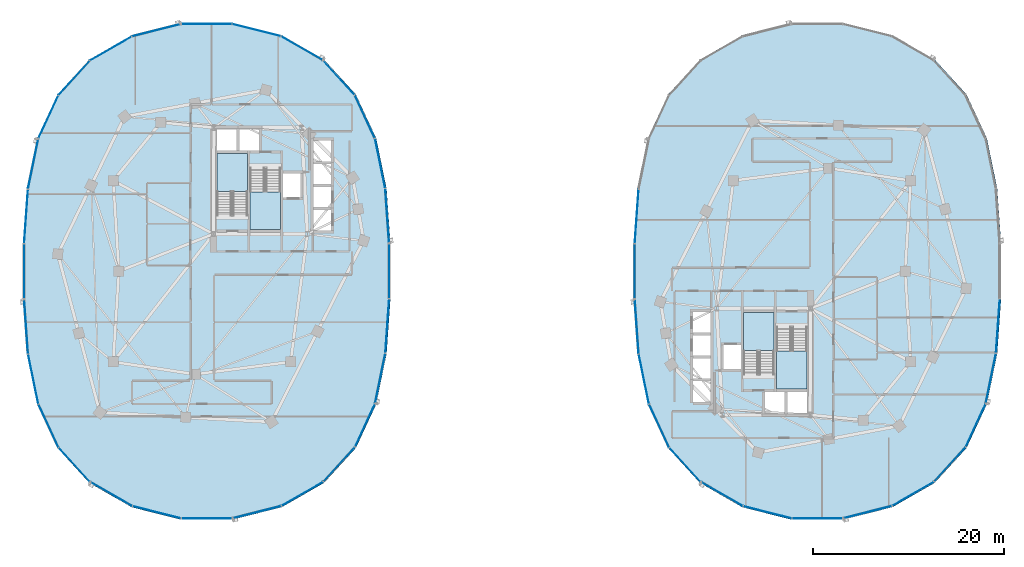
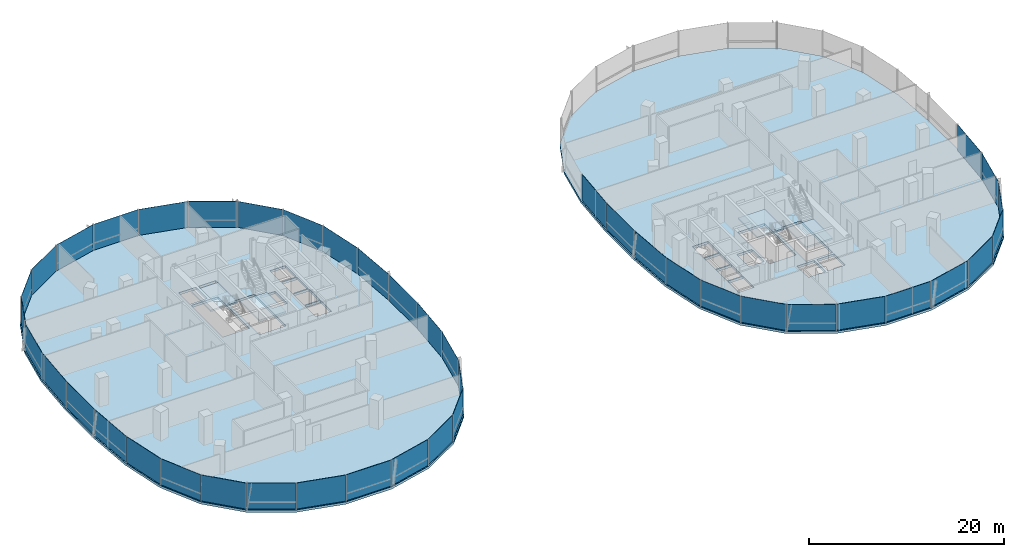
# One storey, part 9 of 21: 43 plates, 6 slabs, 11 elements without a shape of their own.
"""IFC4 building model written with IfcOpenShell, lengths in metres."""

from ifc_helpers import new_model, si_unit, direction, frame, origin, origin_2d, place, context, subcontext, project, spatial, polyline, rectangle, outline, extrude, material, layer, layer_set, type_object, element, aggregate, save


model = new_model("IFC4")

# Units and contexts
model_context = context("Model", 3, precision=1e-05, world=origin(), true_north=direction((0.0, 1.0)))
body_context = subcontext(model_context, "Body", "Model", "MODEL_VIEW")
ifc_project = project(units=[si_unit("LENGTHUNIT", "METRE"), si_unit("AREAUNIT", "SQUARE_METRE"), si_unit("VOLUMEUNIT", "CUBIC_METRE"), si_unit("PLANEANGLEUNIT", "RADIAN"), si_unit("MASSUNIT", "GRAM", prefix="KILO"), si_unit("THERMODYNAMICTEMPERATUREUNIT", "KELVIN"), si_unit("POWERUNIT", "WATT")], contexts=[model_context])

# Site, building, storey
site_placement = place(None, origin())
site = spatial("IfcSite", under=ifc_project, at=site_placement, CompositionType="ELEMENT")
building_placement = place(site_placement, origin())
building = spatial("IfcBuilding", under=site, at=building_placement, Name="Cundina Bronze Exchange", CompositionType="ELEMENT")
storey_placement = place(building_placement, frame((0.0, 0.0, 121.39990234375)))
storey = spatial("IfcBuildingStorey", under=building, at=storey_placement, Name="L31", CompositionType="ELEMENT", Elevation=121.39990234375)

# Curtain wall, plates
ifc_material_1 = material(Name="Anodised Bronze Aluminium 6063-T6", Category="aluminium")
curtain_wall_type = type_object("IfcCurtainWallType", Name="CWS-TRD-MID", PredefinedType="NOTDEFINED", material=ifc_material_1)
curtain_wall_1_placement = place(storey_placement, origin())
curtain_wall_1 = element("IfcCurtainWall", 1, at=curtain_wall_1_placement, inside=storey, type_object=curtain_wall_type, Name="L31 CW-03 Curtain Wall Run CWR-L31-W1", PredefinedType="NOTDEFINED")
ifc_material_2 = material(Name="Heat-Strengthened Solar-Control Bronze Safety Glass 28mm", Category="glass")
ifc_layer_1 = layer(ifc_material_2, 0.028076171875, Name="Heat-Strengthened Solar-Control Bronze Safety Glass 28mm", Category="glass")
ifc_layer_set_1 = layer_set([ifc_layer_1], Name="Heat-Strengthened Solar-Control Bronze Safety Glass 28mm")
plate_type_1 = type_object("IfcPlateType", Name="PLT-GLZ-VIS28", PredefinedType="CURTAIN_PANEL", material=ifc_layer_set_1)
plate_1_placement = place(storey_placement, frame((-13.0732421875, 5.783935546875, 0.02001953125), z_axis=(0.0, 0.0, 1.0), x_axis=(-0.070278787473, 0.997527389113, 0.0)))
plate_1 = element("IfcPlate", 2, at=plate_1_placement, type_object=plate_type_1, Name="CW-03 Glazed Panel 1", PredefinedType="CURTAIN_PANEL", context=body_context, shape_type="SweptSolid", body=[
    extrude(rectangle(XDim=5.644287109375, YDim=0.028076171875, at=origin_2d()), origin(), (0.0, 0.0, 1.0), 3.260009765625),
])
plate_2_placement = place(storey_placement, frame((-13.81591796875, 11.269775390625, 0.02001953125), z_axis=(0.0, 0.0, 1.0), x_axis=(-0.201419845156, 0.979505000486, 0.0)))
plate_2 = element("IfcPlate", 3, at=plate_2_placement, type_object=plate_type_1, Name="CW-03 Glazed Panel 2", PredefinedType="CURTAIN_PANEL", context=body_context, shape_type="SweptSolid", body=[
    extrude(rectangle(XDim=5.306640625, YDim=0.028076171875, at=origin_2d()), origin(), (0.0, 0.0, 1.0), 3.260009765625),
])
plate_3_placement = place(storey_placement, frame((-15.413818359375, 16.177734375, 0.02001953125), z_axis=(0.0, 0.0, 1.0), x_axis=(-0.42084583328, 0.907132175932, 0.0)))
plate_3 = element("IfcPlate", 4, at=plate_3_placement, type_object=plate_type_1, Name="CW-03 Glazed Panel 3", PredefinedType="CURTAIN_PANEL", context=body_context, shape_type="SweptSolid", body=[
    extrude(rectangle(XDim=4.966552734375, YDim=0.028076171875, at=origin_2d()), origin(), (0.0, 0.0, 1.0), 3.260009765625),
])
plate_4_placement = place(storey_placement, frame((-21.980712890625, 23.34423828125, 0.02001953125), z_axis=(0.0, 0.0, 1.0), x_axis=(-0.867105478933, 0.498124571171, 0.0)))
plate_4 = element("IfcPlate", 5, at=plate_4_placement, type_object=plate_type_1, Name="CW-03 Glazed Panel 5", PredefinedType="CURTAIN_PANEL", context=body_context, shape_type="SweptSolid", body=[
    extrude(rectangle(XDim=5.021240234375, YDim=0.028076171875, at=origin_2d()), origin(), (0.0, 0.0, 1.0), 3.260009765625),
])
plate_5_placement = place(storey_placement, frame((-26.744384765625, 25.256591796875, 0.02001953125), z_axis=(0.0, 0.0, 1.0), x_axis=(-0.969488149345, 0.245138182011, 0.0)))
plate_5 = element("IfcPlate", 6, at=plate_5_placement, type_object=plate_type_1, Name="CW-03 Glazed Panel 6", PredefinedType="CURTAIN_PANEL", context=body_context, shape_type="SweptSolid", body=[
    extrude(rectangle(XDim=5.2333984375, YDim=0.028076171875, at=origin_2d()), origin(), (0.0, 0.0, 1.0), 3.260009765625),
])
plate_6_placement = place(storey_placement, frame((-32.0, 25.905029296875, 0.02001953125), z_axis=(0.0, 0.0, 1.0), x_axis=(-1.0, 0.0, 0.0)))
plate_6 = element("IfcPlate", 7, at=plate_6_placement, type_object=plate_type_1, Name="CW-03 Glazed Panel 7", PredefinedType="CURTAIN_PANEL", context=body_context, shape_type="SweptSolid", body=[
    extrude(rectangle(XDim=5.323974609375, YDim=0.028076171875, at=origin_2d()), origin(), (0.0, 0.0, 1.0), 3.260009765625),
])

curtain_wall_2_placement = place(storey_placement, origin())
curtain_wall_2 = element("IfcCurtainWall", 8, at=curtain_wall_2_placement, inside=storey, type_object=curtain_wall_type, Name="L31 CW-03 Curtain Wall Run CWR-L31-W2", PredefinedType="NOTDEFINED")
plate_7_placement = place(storey_placement, frame((-37.255615234375, 25.256591796875, 0.02001953125), z_axis=(0.0, 0.0, 1.0), x_axis=(-0.969488149345, -0.245138182011, 0.0)))
plate_7 = element("IfcPlate", 9, at=plate_7_placement, type_object=plate_type_1, Name="CW-03 Glazed Panel 1", PredefinedType="CURTAIN_PANEL", context=body_context, shape_type="SweptSolid", body=[
    extrude(rectangle(XDim=5.2333984375, YDim=0.028076171875, at=origin_2d()), origin(), (0.0, 0.0, 1.0), 3.260009765625),
])
plate_8_placement = place(storey_placement, frame((-42.019287109375, 23.34423828125, 0.02001953125), z_axis=(0.0, 0.0, 1.0), x_axis=(-0.867105478933, -0.498124571171, 0.0)))
plate_8 = element("IfcPlate", 10, at=plate_8_placement, type_object=plate_type_1, Name="CW-03 Glazed Panel 2", PredefinedType="CURTAIN_PANEL", context=body_context, shape_type="SweptSolid", body=[
    extrude(rectangle(XDim=5.021240234375, YDim=0.028076171875, at=origin_2d()), origin(), (0.0, 0.0, 1.0), 3.260009765625),
])
plate_9_placement = place(storey_placement, frame((-48.586181640625, 16.177734375, 0.02001953125), z_axis=(0.0, 0.0, 1.0), x_axis=(-0.42084583328, -0.907132175932, 0.0)))
plate_9 = element("IfcPlate", 11, at=plate_9_placement, type_object=plate_type_1, Name="CW-03 Glazed Panel 4", PredefinedType="CURTAIN_PANEL", context=body_context, shape_type="SweptSolid", body=[
    extrude(rectangle(XDim=4.966552734375, YDim=0.028076171875, at=origin_2d()), origin(), (0.0, 0.0, 1.0), 3.260009765625),
])
plate_10_placement = place(storey_placement, frame((-50.18408203125, 11.269775390625, 0.02001953125), z_axis=(0.0, 0.0, 1.0), x_axis=(-0.201419845156, -0.979505000486, 0.0)))
plate_10 = element("IfcPlate", 12, at=plate_10_placement, type_object=plate_type_1, Name="CW-03 Glazed Panel 5", PredefinedType="CURTAIN_PANEL", context=body_context, shape_type="SweptSolid", body=[
    extrude(rectangle(XDim=5.306640625, YDim=0.028076171875, at=origin_2d()), origin(), (0.0, 0.0, 1.0), 3.260009765625),
])
plate_11_placement = place(storey_placement, frame((-50.9267578125, 5.783935546875, 0.02001953125), z_axis=(0.0, 0.0, 1.0), x_axis=(-0.070278787473, -0.997527389113, 0.0)))
plate_11 = element("IfcPlate", 13, at=plate_11_placement, type_object=plate_type_1, Name="CW-03 Glazed Panel 6", PredefinedType="CURTAIN_PANEL", context=body_context, shape_type="SweptSolid", body=[
    extrude(rectangle(XDim=5.644287109375, YDim=0.028076171875, at=origin_2d()), origin(), (0.0, 0.0, 1.0), 3.260009765625),
])
plate_12_placement = place(storey_placement, frame((-51.1279296875, 0.0, 0.02001953125), z_axis=(0.0, 0.0, 1.0), x_axis=(0.0, -1.0, 0.0)))
plate_12 = element("IfcPlate", 14, at=plate_12_placement, type_object=plate_type_1, Name="CW-03 Glazed Panel 7", PredefinedType="CURTAIN_PANEL", context=body_context, shape_type="SweptSolid", body=[
    extrude(rectangle(XDim=5.77587890625, YDim=0.028076171875, at=origin_2d()), origin(), (0.0, 0.0, 1.0), 3.260009765625),
])

curtain_wall_3_placement = place(storey_placement, origin())
curtain_wall_3 = element("IfcCurtainWall", 15, at=curtain_wall_3_placement, inside=storey, type_object=curtain_wall_type, Name="L31 CW-03 Curtain Wall Run CWR-L31-W3", PredefinedType="NOTDEFINED")
plate_13_placement = place(storey_placement, frame((-50.9267578125, -5.783935546875, 0.02001953125), z_axis=(0.0, 0.0, 1.0), x_axis=(0.070278787473, -0.997527389113, 0.0)))
plate_13 = element("IfcPlate", 16, at=plate_13_placement, type_object=plate_type_1, Name="CW-03 Glazed Panel 1", PredefinedType="CURTAIN_PANEL", context=body_context, shape_type="SweptSolid", body=[
    extrude(rectangle(XDim=5.644287109375, YDim=0.028076171875, at=origin_2d()), origin(), (0.0, 0.0, 1.0), 3.260009765625),
])
plate_14_placement = place(storey_placement, frame((-48.586181640625, -16.177734375, 0.02001953125), z_axis=(0.0, 0.0, 1.0), x_axis=(0.42084583328, -0.907132175932, 0.0)))
plate_14 = element("IfcPlate", 17, at=plate_14_placement, type_object=plate_type_1, Name="CW-03 Glazed Panel 3", PredefinedType="CURTAIN_PANEL", context=body_context, shape_type="SweptSolid", body=[
    extrude(rectangle(XDim=4.966552734375, YDim=0.028076171875, at=origin_2d()), origin(), (0.0, 0.0, 1.0), 3.260009765625),
])
plate_15_placement = place(storey_placement, frame((-45.8740234375, -20.267333984375, 0.02001953125), z_axis=(0.0, 0.0, 1.0), x_axis=(0.674276610219, -0.73847887777, 0.0)))
plate_15 = element("IfcPlate", 18, at=plate_15_placement, type_object=plate_type_1, Name="CW-03 Glazed Panel 4", PredefinedType="CURTAIN_PANEL", context=body_context, shape_type="SweptSolid", body=[
    extrude(rectangle(XDim=4.86328125, YDim=0.028076171875, at=origin_2d()), origin(), (0.0, 0.0, 1.0), 3.260009765625),
])
plate_16_placement = place(storey_placement, frame((-42.019287109375, -23.34423828125, 0.02001953125), z_axis=(0.0, 0.0, 1.0), x_axis=(0.867105478933, -0.498124571171, 0.0)))
plate_16 = element("IfcPlate", 19, at=plate_16_placement, type_object=plate_type_1, Name="CW-03 Glazed Panel 5", PredefinedType="CURTAIN_PANEL", context=body_context, shape_type="SweptSolid", body=[
    extrude(rectangle(XDim=5.021240234375, YDim=0.028076171875, at=origin_2d()), origin(), (0.0, 0.0, 1.0), 3.260009765625),
])
plate_17_placement = place(storey_placement, frame((-37.255615234375, -25.256591796875, 0.02001953125), z_axis=(0.0, 0.0, 1.0), x_axis=(0.969488149345, -0.245138182011, 0.0)))
plate_17 = element("IfcPlate", 20, at=plate_17_placement, type_object=plate_type_1, Name="CW-03 Glazed Panel 6", PredefinedType="CURTAIN_PANEL", context=body_context, shape_type="SweptSolid", body=[
    extrude(rectangle(XDim=5.2333984375, YDim=0.028076171875, at=origin_2d()), origin(), (0.0, 0.0, 1.0), 3.260009765625),
])

curtain_wall_4_placement = place(storey_placement, origin())
curtain_wall_4 = element("IfcCurtainWall", 21, at=curtain_wall_4_placement, inside=storey, type_object=curtain_wall_type, Name="L31 CW-03 Curtain Wall Run CWR-L31-W4", PredefinedType="NOTDEFINED")
plate_18_placement = place(storey_placement, frame((-21.980712890625, -23.34423828125, 0.02001953125), z_axis=(0.0, 0.0, 1.0), x_axis=(0.867105478933, 0.498124571171, 0.0)))
plate_18 = element("IfcPlate", 22, at=plate_18_placement, type_object=plate_type_1, Name="CW-03 Glazed Panel 2", PredefinedType="CURTAIN_PANEL", context=body_context, shape_type="SweptSolid", body=[
    extrude(rectangle(XDim=5.021240234375, YDim=0.028076171875, at=origin_2d()), origin(), (0.0, 0.0, 1.0), 3.260009765625),
])
plate_19_placement = place(storey_placement, frame((-18.1259765625, -20.267333984375, 0.02001953125), z_axis=(0.0, 0.0, 1.0), x_axis=(0.674276610219, 0.73847887777, 0.0)))
plate_19 = element("IfcPlate", 23, at=plate_19_placement, type_object=plate_type_1, Name="CW-03 Glazed Panel 3", PredefinedType="CURTAIN_PANEL", context=body_context, shape_type="SweptSolid", body=[
    extrude(rectangle(XDim=4.86328125, YDim=0.028076171875, at=origin_2d()), origin(), (0.0, 0.0, 1.0), 3.260009765625),
])
plate_20_placement = place(storey_placement, frame((-15.413818359375, -16.177734375, 0.02001953125), z_axis=(0.0, 0.0, 1.0), x_axis=(0.42084583328, 0.907132175932, 0.0)))
plate_20 = element("IfcPlate", 24, at=plate_20_placement, type_object=plate_type_1, Name="CW-03 Glazed Panel 4", PredefinedType="CURTAIN_PANEL", context=body_context, shape_type="SweptSolid", body=[
    extrude(rectangle(XDim=4.966552734375, YDim=0.028076171875, at=origin_2d()), origin(), (0.0, 0.0, 1.0), 3.260009765625),
])
plate_21_placement = place(storey_placement, frame((-13.81591796875, -11.269775390625, 0.02001953125), z_axis=(0.0, 0.0, 1.0), x_axis=(0.201419845156, 0.979505000486, 0.0)))
plate_21 = element("IfcPlate", 25, at=plate_21_placement, type_object=plate_type_1, Name="CW-03 Glazed Panel 5", PredefinedType="CURTAIN_PANEL", context=body_context, shape_type="SweptSolid", body=[
    extrude(rectangle(XDim=5.306640625, YDim=0.028076171875, at=origin_2d()), origin(), (0.0, 0.0, 1.0), 3.260009765625),
])
plate_22_placement = place(storey_placement, frame((-12.8720703125, 0.0, 0.02001953125), z_axis=(0.0, 0.0, 1.0), x_axis=(0.0, 1.0, 0.0)))
plate_22 = element("IfcPlate", 26, at=plate_22_placement, type_object=plate_type_1, Name="CW-03 Glazed Panel 7", PredefinedType="CURTAIN_PANEL", context=body_context, shape_type="SweptSolid", body=[
    extrude(rectangle(XDim=5.77587890625, YDim=0.028076171875, at=origin_2d()), origin(), (0.0, 0.0, 1.0), 3.260009765625),
])

curtain_wall_5_placement = place(storey_placement, origin())
curtain_wall_5 = element("IfcCurtainWall", 27, at=curtain_wall_5_placement, inside=storey, type_object=curtain_wall_type, Name="L31 CW-03 Curtain Wall Run CWR-L31-E2", PredefinedType="NOTDEFINED")
plate_23_placement = place(storey_placement, frame((13.0732421875, 5.783935546875, 0.02001953125), z_axis=(0.0, 0.0, 1.0), x_axis=(-0.070278787473, -0.997527389113, 0.0)))
plate_23 = element("IfcPlate", 28, at=plate_23_placement, type_object=plate_type_1, Name="CW-03 Glazed Panel 6", PredefinedType="CURTAIN_PANEL", context=body_context, shape_type="SweptSolid", body=[
    extrude(rectangle(XDim=5.644287109375, YDim=0.028076171875, at=origin_2d()), origin(), (0.0, 0.0, 1.0), 3.260009765625),
])
plate_24_placement = place(storey_placement, frame((12.8720703125, 0.0, 0.02001953125), z_axis=(0.0, 0.0, 1.0), x_axis=(0.0, -1.0, 0.0)))
plate_24 = element("IfcPlate", 29, at=plate_24_placement, type_object=plate_type_1, Name="CW-03 Glazed Panel 7", PredefinedType="CURTAIN_PANEL", context=body_context, shape_type="SweptSolid", body=[
    extrude(rectangle(XDim=5.77587890625, YDim=0.028076171875, at=origin_2d()), origin(), (0.0, 0.0, 1.0), 3.260009765625),
])
aggregate(curtain_wall_5, [plate_23, plate_24])

curtain_wall_6_placement = place(storey_placement, origin())
curtain_wall_6 = element("IfcCurtainWall", 30, at=curtain_wall_6_placement, inside=storey, type_object=curtain_wall_type, Name="L31 CW-03 Curtain Wall Run CWR-L31-E3", PredefinedType="NOTDEFINED")
plate_25_placement = place(storey_placement, frame((13.0732421875, -5.783935546875, 0.02001953125), z_axis=(0.0, 0.0, 1.0), x_axis=(0.070278787473, -0.997527389113, 0.0)))
plate_25 = element("IfcPlate", 31, at=plate_25_placement, type_object=plate_type_1, Name="CW-03 Glazed Panel 1", PredefinedType="CURTAIN_PANEL", context=body_context, shape_type="SweptSolid", body=[
    extrude(rectangle(XDim=5.644287109375, YDim=0.028076171875, at=origin_2d()), origin(), (0.0, 0.0, 1.0), 3.260009765625),
])
plate_26_placement = place(storey_placement, frame((15.413818359375, -16.177734375, 0.02001953125), z_axis=(0.0, 0.0, 1.0), x_axis=(0.42084583328, -0.907132175932, 0.0)))
plate_26 = element("IfcPlate", 32, at=plate_26_placement, type_object=plate_type_1, Name="CW-03 Glazed Panel 3", PredefinedType="CURTAIN_PANEL", context=body_context, shape_type="SweptSolid", body=[
    extrude(rectangle(XDim=4.966552734375, YDim=0.028076171875, at=origin_2d()), origin(), (0.0, 0.0, 1.0), 3.260009765625),
])
plate_27_placement = place(storey_placement, frame((18.1259765625, -20.267333984375, 0.02001953125), z_axis=(0.0, 0.0, 1.0), x_axis=(0.674276610219, -0.73847887777, 0.0)))
plate_27 = element("IfcPlate", 33, at=plate_27_placement, type_object=plate_type_1, Name="CW-03 Glazed Panel 4", PredefinedType="CURTAIN_PANEL", context=body_context, shape_type="SweptSolid", body=[
    extrude(rectangle(XDim=4.86328125, YDim=0.028076171875, at=origin_2d()), origin(), (0.0, 0.0, 1.0), 3.260009765625),
])
plate_28_placement = place(storey_placement, frame((21.980712890625, -23.34423828125, 0.02001953125), z_axis=(0.0, 0.0, 1.0), x_axis=(0.867105478933, -0.498124571171, 0.0)))
plate_28 = element("IfcPlate", 34, at=plate_28_placement, type_object=plate_type_1, Name="CW-03 Glazed Panel 5", PredefinedType="CURTAIN_PANEL", context=body_context, shape_type="SweptSolid", body=[
    extrude(rectangle(XDim=5.021240234375, YDim=0.028076171875, at=origin_2d()), origin(), (0.0, 0.0, 1.0), 3.260009765625),
])
plate_29_placement = place(storey_placement, frame((26.744384765625, -25.256591796875, 0.02001953125), z_axis=(0.0, 0.0, 1.0), x_axis=(0.969488149345, -0.245138182011, 0.0)))
plate_29 = element("IfcPlate", 35, at=plate_29_placement, type_object=plate_type_1, Name="CW-03 Glazed Panel 6", PredefinedType="CURTAIN_PANEL", context=body_context, shape_type="SweptSolid", body=[
    extrude(rectangle(XDim=5.2333984375, YDim=0.028076171875, at=origin_2d()), origin(), (0.0, 0.0, 1.0), 3.260009765625),
])

curtain_wall_7_placement = place(storey_placement, origin())
curtain_wall_7 = element("IfcCurtainWall", 36, at=curtain_wall_7_placement, inside=storey, type_object=curtain_wall_type, Name="L31 CW-03 Curtain Wall Run CWR-L31-E4", PredefinedType="NOTDEFINED")
plate_30_placement = place(storey_placement, frame((42.019287109375, -23.34423828125, 0.02001953125), z_axis=(0.0, 0.0, 1.0), x_axis=(0.867105478933, 0.498124571171, 0.0)))
plate_30 = element("IfcPlate", 37, at=plate_30_placement, type_object=plate_type_1, Name="CW-03 Glazed Panel 2", PredefinedType="CURTAIN_PANEL", context=body_context, shape_type="SweptSolid", body=[
    extrude(rectangle(XDim=5.021240234375, YDim=0.028076171875, at=origin_2d()), origin(), (0.0, 0.0, 1.0), 3.260009765625),
])
plate_31_placement = place(storey_placement, frame((45.8740234375, -20.267333984375, 0.02001953125), z_axis=(0.0, 0.0, 1.0), x_axis=(0.674276610219, 0.73847887777, 0.0)))
plate_31 = element("IfcPlate", 38, at=plate_31_placement, type_object=plate_type_1, Name="CW-03 Glazed Panel 3", PredefinedType="CURTAIN_PANEL", context=body_context, shape_type="SweptSolid", body=[
    extrude(rectangle(XDim=4.86328125, YDim=0.028076171875, at=origin_2d()), origin(), (0.0, 0.0, 1.0), 3.260009765625),
])
plate_32_placement = place(storey_placement, frame((48.586181640625, -16.177734375, 0.02001953125), z_axis=(0.0, 0.0, 1.0), x_axis=(0.42084583328, 0.907132175932, 0.0)))
plate_32 = element("IfcPlate", 39, at=plate_32_placement, type_object=plate_type_1, Name="CW-03 Glazed Panel 4", PredefinedType="CURTAIN_PANEL", context=body_context, shape_type="SweptSolid", body=[
    extrude(rectangle(XDim=4.966552734375, YDim=0.028076171875, at=origin_2d()), origin(), (0.0, 0.0, 1.0), 3.260009765625),
])
plate_33_placement = place(storey_placement, frame((50.18408203125, -11.269775390625, 0.02001953125), z_axis=(0.0, 0.0, 1.0), x_axis=(0.201419845156, 0.979505000486, 0.0)))
plate_33 = element("IfcPlate", 40, at=plate_33_placement, type_object=plate_type_1, Name="CW-03 Glazed Panel 5", PredefinedType="CURTAIN_PANEL", context=body_context, shape_type="SweptSolid", body=[
    extrude(rectangle(XDim=5.306640625, YDim=0.028076171875, at=origin_2d()), origin(), (0.0, 0.0, 1.0), 3.260009765625),
])

# Plate
ifc_material_3 = material(Name="Dark Bronze Spandrel Glass Panel 32mm", Category="glass")
ifc_layer_2 = layer(ifc_material_3, 0.031982421875, Name="Dark Bronze Spandrel Glass Panel 32mm", Category="glass")
ifc_layer_set_2 = layer_set([ifc_layer_2], Name="Dark Bronze Spandrel Glass Panel 32mm")
plate_type_2 = type_object("IfcPlateType", Name="PLT-SPN-BRZ32", PredefinedType="CURTAIN_PANEL", material=ifc_layer_set_2)
plate_34_placement = place(storey_placement, frame((-18.1259765625, 20.267333984375, 0.02001953125), z_axis=(0.0, 0.0, 1.0), x_axis=(-0.674276610219, 0.73847887777, 0.0)))
plate_34 = element("IfcPlate", 41, at=plate_34_placement, type_object=plate_type_2, Name="CW-03 Glazed Panel 4", PredefinedType="CURTAIN_PANEL", context=body_context, shape_type="SweptSolid", body=[
    extrude(rectangle(XDim=4.86328125, YDim=0.031982421875, at=origin_2d()), origin(), (0.0, 0.0, 1.0), 3.260009765625),
])

aggregate(curtain_wall_1, [plate_1, plate_2, plate_3, plate_34, plate_4, plate_5, plate_6])

plate_35_placement = place(storey_placement, frame((-45.8740234375, 20.267333984375, 0.02001953125), z_axis=(0.0, 0.0, 1.0), x_axis=(-0.674276610219, -0.73847887777, 0.0)))
plate_35 = element("IfcPlate", 42, at=plate_35_placement, type_object=plate_type_2, Name="CW-03 Glazed Panel 3", PredefinedType="CURTAIN_PANEL", context=body_context, shape_type="SweptSolid", body=[
    extrude(rectangle(XDim=4.86328125, YDim=0.031982421875, at=origin_2d()), origin(), (0.0, 0.0, 1.0), 3.260009765625),
])

aggregate(curtain_wall_2, [plate_7, plate_8, plate_35, plate_9, plate_10, plate_11, plate_12])

plate_36_placement = place(storey_placement, frame((-50.18408203125, -11.269775390625, 0.02001953125), z_axis=(0.0, 0.0, 1.0), x_axis=(0.201419845156, -0.979505000486, 0.0)))
plate_36 = element("IfcPlate", 43, at=plate_36_placement, type_object=plate_type_2, Name="CW-03 Glazed Panel 2", PredefinedType="CURTAIN_PANEL", context=body_context, shape_type="SweptSolid", body=[
    extrude(rectangle(XDim=5.306640625, YDim=0.031982421875, at=origin_2d()), origin(), (0.0, 0.0, 1.0), 3.260009765625),
])

plate_37_placement = place(storey_placement, frame((-32.0, -25.905029296875, 0.02001953125), z_axis=(0.0, 0.0, 1.0), x_axis=(1.0, 0.0, 0.0)))
plate_37 = element("IfcPlate", 44, at=plate_37_placement, type_object=plate_type_2, Name="CW-03 Glazed Panel 7", PredefinedType="CURTAIN_PANEL", context=body_context, shape_type="SweptSolid", body=[
    extrude(rectangle(XDim=5.323974609375, YDim=0.031982421875, at=origin_2d()), origin(), (0.0, 0.0, 1.0), 3.260009765625),
])

aggregate(curtain_wall_3, [plate_13, plate_36, plate_14, plate_15, plate_16, plate_17, plate_37])

plate_38_placement = place(storey_placement, frame((-26.744384765625, -25.256591796875, 0.02001953125), z_axis=(0.0, 0.0, 1.0), x_axis=(0.969488149345, 0.245138182011, 0.0)))
plate_38 = element("IfcPlate", 45, at=plate_38_placement, type_object=plate_type_2, Name="CW-03 Glazed Panel 1", PredefinedType="CURTAIN_PANEL", context=body_context, shape_type="SweptSolid", body=[
    extrude(rectangle(XDim=5.2333984375, YDim=0.031982421875, at=origin_2d()), origin(), (0.0, 0.0, 1.0), 3.260009765625),
])

plate_39_placement = place(storey_placement, frame((-13.0732421875, -5.783935546875, 0.02001953125), z_axis=(0.0, 0.0, 1.0), x_axis=(0.070278787473, 0.997527389113, 0.0)))
plate_39 = element("IfcPlate", 46, at=plate_39_placement, type_object=plate_type_2, Name="CW-03 Glazed Panel 6", PredefinedType="CURTAIN_PANEL", context=body_context, shape_type="SweptSolid", body=[
    extrude(rectangle(XDim=5.644287109375, YDim=0.031982421875, at=origin_2d()), origin(), (0.0, 0.0, 1.0), 3.260009765625),
])

aggregate(curtain_wall_4, [plate_38, plate_18, plate_19, plate_20, plate_21, plate_39, plate_22])

plate_40_placement = place(storey_placement, frame((13.81591796875, -11.269775390625, 0.02001953125), z_axis=(0.0, 0.0, 1.0), x_axis=(0.201419845156, -0.979505000486, 0.0)))
plate_40 = element("IfcPlate", 47, at=plate_40_placement, type_object=plate_type_2, Name="CW-03 Glazed Panel 2", PredefinedType="CURTAIN_PANEL", context=body_context, shape_type="SweptSolid", body=[
    extrude(rectangle(XDim=5.306640625, YDim=0.031982421875, at=origin_2d()), origin(), (0.0, 0.0, 1.0), 3.260009765625),
])

plate_41_placement = place(storey_placement, frame((32.0, -25.905029296875, 0.02001953125), z_axis=(0.0, 0.0, 1.0), x_axis=(1.0, 0.0, 0.0)))
plate_41 = element("IfcPlate", 48, at=plate_41_placement, type_object=plate_type_2, Name="CW-03 Glazed Panel 7", PredefinedType="CURTAIN_PANEL", context=body_context, shape_type="SweptSolid", body=[
    extrude(rectangle(XDim=5.323974609375, YDim=0.031982421875, at=origin_2d()), origin(), (0.0, 0.0, 1.0), 3.260009765625),
])

aggregate(curtain_wall_6, [plate_25, plate_40, plate_26, plate_27, plate_28, plate_29, plate_41])

plate_42_placement = place(storey_placement, frame((37.255615234375, -25.256591796875, 0.02001953125), z_axis=(0.0, 0.0, 1.0), x_axis=(0.969488149345, 0.245138182011, 0.0)))
plate_42 = element("IfcPlate", 49, at=plate_42_placement, type_object=plate_type_2, Name="CW-03 Glazed Panel 1", PredefinedType="CURTAIN_PANEL", context=body_context, shape_type="SweptSolid", body=[
    extrude(rectangle(XDim=5.2333984375, YDim=0.031982421875, at=origin_2d()), origin(), (0.0, 0.0, 1.0), 3.260009765625),
])

plate_43_placement = place(storey_placement, frame((50.9267578125, -5.783935546875, 0.02001953125), z_axis=(0.0, 0.0, 1.0), x_axis=(0.070278787473, 0.997527389113, 0.0)))
plate_43 = element("IfcPlate", 50, at=plate_43_placement, type_object=plate_type_2, Name="CW-03 Glazed Panel 6", PredefinedType="CURTAIN_PANEL", context=body_context, shape_type="SweptSolid", body=[
    extrude(rectangle(XDim=5.644287109375, YDim=0.031982421875, at=origin_2d()), origin(), (0.0, 0.0, 1.0), 3.260009765625),
])

aggregate(curtain_wall_7, [plate_42, plate_30, plate_31, plate_32, plate_33, plate_43])

# Stair, slab
ifc_material_4 = material(Name="Concrete C40/50", Category="concrete")
stair_type = type_object("IfcStairType", Name="STR-OFF-360", PredefinedType="HALF_TURN_STAIR", material=ifc_material_4)
stair_1_placement = place(storey_placement, origin())
stair_1 = element("IfcStair", 51, at=stair_1_placement, inside=storey, type_object=stair_type, Name="L31 Smokeproof Exit Stair W1", PredefinedType="HALF_TURN_STAIR")
ifc_layer_3 = layer(ifc_material_4, 0.199951171875, Name="Concrete C40/50", Category="concrete")
ifc_layer_set_3 = layer_set([ifc_layer_3], Name="Concrete C40/50")
slab_type_1 = type_object("IfcSlabType", Name="SLB-LND-200", PredefinedType="LANDING", material=ifc_layer_set_3)
slab_1_placement = place(storey_placement, frame((0.0, 0.0, 1.60009765625)))
slab_1 = element("IfcSlab", 52, at=slab_1_placement, type_object=slab_type_1, Name="ST-W1 landing 1", PredefinedType="LANDING", context=body_context, shape_type="SweptSolid", body=[
    extrude(outline(polyline([(-27.739990234375, 8.3701171875), (-27.739990234375, 12.35009765625), (-30.89990234375, 12.35009765625), (-30.89990234375, 8.3701171875), (-27.739990234375, 8.3701171875)])), origin(), (0.0, 0.0, 1.0), 0.199951171875),
])
aggregate(stair_1, [slab_1])

stair_2_placement = place(storey_placement, origin())
stair_2 = element("IfcStair", 53, at=stair_2_placement, inside=storey, type_object=stair_type, Name="L31 Smokeproof Exit Stair W2", PredefinedType="HALF_TURN_STAIR")
slab_2_placement = place(storey_placement, frame((0.0, 0.0, 1.60009765625)))
slab_2 = element("IfcSlab", 54, at=slab_2_placement, type_object=slab_type_1, Name="ST-W2 landing 1", PredefinedType="LANDING", context=body_context, shape_type="SweptSolid", body=[
    extrude(outline(polyline([(-27.43994140625, 8.330078125), (-27.43994140625, 4.35009765625), (-24.280029296875, 4.35009765625), (-24.280029296875, 8.330078125), (-27.43994140625, 8.330078125)])), origin(), (0.0, 0.0, 1.0), 0.199951171875),
])
aggregate(stair_2, [slab_2])

stair_3_placement = place(storey_placement, origin())
stair_3 = element("IfcStair", 55, at=stair_3_placement, inside=storey, type_object=stair_type, Name="L31 Smokeproof Exit Stair E1", PredefinedType="HALF_TURN_STAIR")
slab_3_placement = place(storey_placement, frame((0.0, 0.0, 1.60009765625)))
slab_3 = element("IfcSlab", 56, at=slab_3_placement, type_object=slab_type_1, Name="ST-E1 landing 1", PredefinedType="LANDING", context=body_context, shape_type="SweptSolid", body=[
    extrude(outline(polyline([(27.739990234375, -8.3701171875), (27.739990234375, -12.35009765625), (30.89990234375, -12.35009765625), (30.89990234375, -8.3701171875), (27.739990234375, -8.3701171875)])), origin(), (0.0, 0.0, 1.0), 0.199951171875),
])
aggregate(stair_3, [slab_3])

stair_4_placement = place(storey_placement, origin())
stair_4 = element("IfcStair", 57, at=stair_4_placement, inside=storey, type_object=stair_type, Name="L31 Smokeproof Exit Stair E2", PredefinedType="HALF_TURN_STAIR")
slab_4_placement = place(storey_placement, frame((0.0, 0.0, 1.60009765625)))
slab_4 = element("IfcSlab", 58, at=slab_4_placement, type_object=slab_type_1, Name="ST-E2 landing 1", PredefinedType="LANDING", context=body_context, shape_type="SweptSolid", body=[
    extrude(outline(polyline([(27.43994140625, -8.330078125), (27.43994140625, -4.35009765625), (24.280029296875, -4.35009765625), (24.280029296875, -8.330078125), (27.43994140625, -8.330078125)])), origin(), (0.0, 0.0, 1.0), 0.199951171875),
])
aggregate(stair_4, [slab_4])

# Slabs
ifc_material_5 = material(Name="Concrete C50/60", Category="concrete")
ifc_layer_4 = layer(ifc_material_5, 0.300048828125, Name="Concrete C50/60", Category="concrete")
ifc_layer_set_4 = layer_set([ifc_layer_4], Name="Concrete C50/60")
slab_type_2 = type_object("IfcSlabType", Name="SLB-TRD-300", PredefinedType="FLOOR", material=ifc_layer_set_4)
slab_5_placement = place(storey_placement, frame((0.0, 0.0, -0.2998046875)))
element("IfcSlab", 59, at=slab_5_placement, inside=storey, type_object=slab_type_2, Name="L31 Leg W Structural Floor Slab", PredefinedType="FLOOR", context=body_context, shape_type="SweptSolid", body=[
    extrude(outline(polyline([(-12.741943359375, 2.93310546875), (-13.14501953125, 8.653076171875), (-14.23193359375, 13.93896484375), (-16.360107421875, 18.52587890625), (-19.699951171875, 22.18408203125), (-24.132080078125, 24.72998046875), (-29.29296875, 26.034912109375), (-34.70703125, 26.034912109375), (-39.867919921875, 24.72998046875), (-44.300048828125, 22.18408203125), (-47.639892578125, 18.52587890625), (-49.76806640625, 13.93896484375), (-50.85498046875, 8.653076171875), (-51.258056640625, 2.93310546875), (-51.258056640625, -2.93310546875), (-50.85498046875, -8.653076171875), (-49.76806640625, -13.93896484375), (-47.639892578125, -18.52587890625), (-44.300048828125, -22.18408203125), (-39.867919921875, -24.72998046875), (-34.70703125, -26.034912109375), (-29.29296875, -26.034912109375), (-24.132080078125, -24.72998046875), (-19.699951171875, -22.18408203125), (-16.360107421875, -18.52587890625), (-14.23193359375, -13.93896484375), (-13.14501953125, -8.653076171875), (-12.741943359375, -2.93310546875), (-12.741943359375, 2.93310546875)]), holes=[polyline([(-27.739990234375, 5.85009765625), (-27.739990234375, 12.35009765625), (-30.89990234375, 12.35009765625), (-30.89990234375, 5.85009765625), (-27.739990234375, 5.85009765625)]), polyline([(-27.43994140625, 10.85009765625), (-27.43994140625, 4.35009765625), (-24.280029296875, 4.35009765625), (-24.280029296875, 10.85009765625), (-27.43994140625, 10.85009765625)]), polyline([(-23.97998046875, 10.25), (-22.179931640625, 10.25), (-22.179931640625, 7.75), (-23.97998046875, 7.75), (-23.97998046875, 10.25)]), polyline([(-30.89990234375, 14.949951171875), (-28.85009765625, 14.949951171875), (-28.85009765625, 12.64990234375), (-30.89990234375, 12.64990234375), (-30.89990234375, 14.949951171875)]), polyline([(-28.550048828125, 14.949951171875), (-26.5, 14.949951171875), (-26.5, 12.64990234375), (-28.550048828125, 12.64990234375), (-28.550048828125, 14.949951171875)]), polyline([(-20.800048828125, 13.699951171875), (-18.949951171875, 13.699951171875), (-18.949951171875, 11.449951171875), (-20.800048828125, 11.449951171875), (-20.800048828125, 13.699951171875)]), polyline([(-20.800048828125, 11.300048828125), (-18.949951171875, 11.300048828125), (-18.949951171875, 9.050048828125), (-20.800048828125, 9.050048828125), (-20.800048828125, 11.300048828125)]), polyline([(-20.800048828125, 8.89990234375), (-18.949951171875, 8.89990234375), (-18.949951171875, 6.64990234375), (-20.800048828125, 6.64990234375), (-20.800048828125, 8.89990234375)]), polyline([(-20.800048828125, 6.5), (-18.949951171875, 6.5), (-18.949951171875, 4.25), (-20.800048828125, 4.25), (-20.800048828125, 6.5)])]), origin(), (0.0, 0.0, 1.0), 0.2998046875),
])
slab_6_placement = place(storey_placement, frame((0.0, 0.0, -0.2998046875)))
element("IfcSlab", 60, at=slab_6_placement, inside=storey, type_object=slab_type_2, Name="L31 Leg E Structural Floor Slab", PredefinedType="FLOOR", context=body_context, shape_type="SweptSolid", body=[
    extrude(outline(polyline([(51.258056640625, 2.93310546875), (50.85498046875, 8.653076171875), (49.76806640625, 13.93896484375), (47.639892578125, 18.52587890625), (44.300048828125, 22.18408203125), (39.867919921875, 24.72998046875), (34.70703125, 26.034912109375), (29.29296875, 26.034912109375), (24.132080078125, 24.72998046875), (19.699951171875, 22.18408203125), (16.360107421875, 18.52587890625), (14.23193359375, 13.93896484375), (13.14501953125, 8.653076171875), (12.741943359375, 2.93310546875), (12.741943359375, -2.93310546875), (13.14501953125, -8.653076171875), (14.23193359375, -13.93896484375), (16.360107421875, -18.52587890625), (19.699951171875, -22.18408203125), (24.132080078125, -24.72998046875), (29.29296875, -26.034912109375), (34.70703125, -26.034912109375), (39.867919921875, -24.72998046875), (44.300048828125, -22.18408203125), (47.639892578125, -18.52587890625), (49.76806640625, -13.93896484375), (50.85498046875, -8.653076171875), (51.258056640625, -2.93310546875), (51.258056640625, 2.93310546875)]), holes=[polyline([(27.739990234375, -5.85009765625), (27.739990234375, -12.35009765625), (30.89990234375, -12.35009765625), (30.89990234375, -5.85009765625), (27.739990234375, -5.85009765625)]), polyline([(27.43994140625, -10.85009765625), (27.43994140625, -4.35009765625), (24.280029296875, -4.35009765625), (24.280029296875, -10.85009765625), (27.43994140625, -10.85009765625)]), polyline([(22.179931640625, -7.75), (23.97998046875, -7.75), (23.97998046875, -10.25), (22.179931640625, -10.25), (22.179931640625, -7.75)]), polyline([(28.85009765625, -12.64990234375), (30.89990234375, -12.64990234375), (30.89990234375, -14.949951171875), (28.85009765625, -14.949951171875), (28.85009765625, -12.64990234375)]), polyline([(26.5, -12.64990234375), (28.550048828125, -12.64990234375), (28.550048828125, -14.949951171875), (26.5, -14.949951171875), (26.5, -12.64990234375)]), polyline([(18.949951171875, -11.449951171875), (20.800048828125, -11.449951171875), (20.800048828125, -13.699951171875), (18.949951171875, -13.699951171875), (18.949951171875, -11.449951171875)]), polyline([(18.949951171875, -9.050048828125), (20.800048828125, -9.050048828125), (20.800048828125, -11.300048828125), (18.949951171875, -11.300048828125), (18.949951171875, -9.050048828125)]), polyline([(18.949951171875, -6.64990234375), (20.800048828125, -6.64990234375), (20.800048828125, -8.89990234375), (18.949951171875, -8.89990234375), (18.949951171875, -6.64990234375)]), polyline([(18.949951171875, -4.25), (20.800048828125, -4.25), (20.800048828125, -6.5), (18.949951171875, -6.5), (18.949951171875, -4.25)])]), origin(), (0.0, 0.0, 1.0), 0.2998046875),
])

save(model, "model.ifc")
